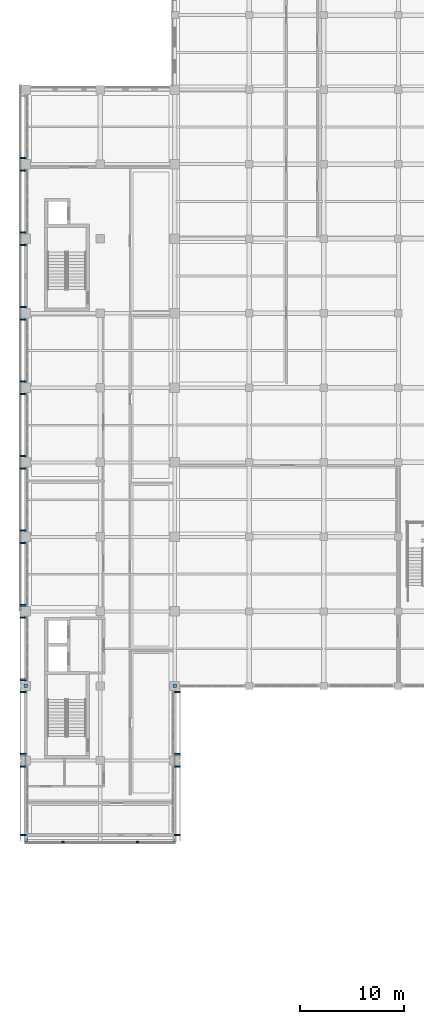
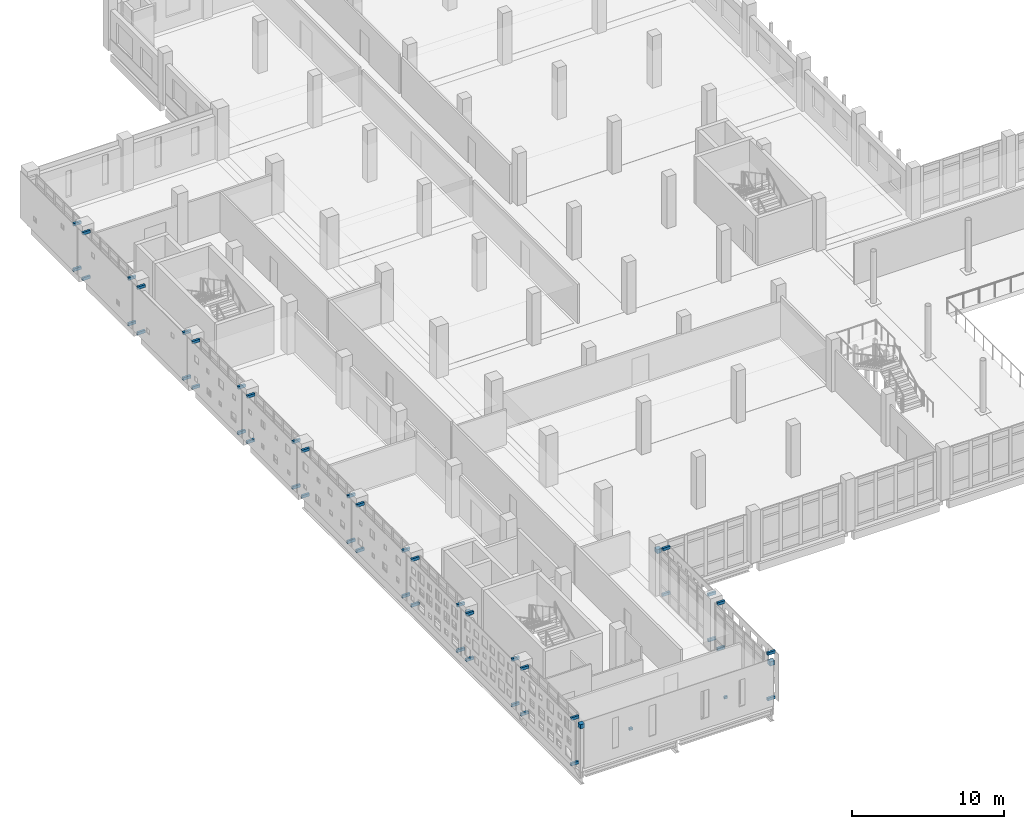
# One storey, part 49 of 62: 52 discrete accessories.
"""IFC4 building model written with IfcOpenShell, lengths in metres."""

from ifc_helpers import new_model, si_unit, direction, frame, origin, origin_2d, place, context, subcontext, project, spatial, rectangle, extrude, material, type_object, element, save


model = new_model("IFC4")

# Units and contexts
model_context = context("Model", 3, precision=1e-05, world=origin(), true_north=direction((0.0, 1.0)))
body_context = subcontext(model_context, "Body", "Model", "MODEL_VIEW")
ifc_project = project(units=[si_unit("LENGTHUNIT", "METRE"), si_unit("AREAUNIT", "SQUARE_METRE"), si_unit("VOLUMEUNIT", "CUBIC_METRE"), si_unit("PLANEANGLEUNIT", "RADIAN"), si_unit("MASSUNIT", "GRAM", prefix="KILO")], contexts=[model_context])

# Site, building, storey
site_placement = place(None, origin())
site = spatial("IfcSite", under=ifc_project, at=site_placement, CompositionType="ELEMENT")
building_placement = place(site_placement, origin())
building = spatial("IfcBuilding", under=site, at=building_placement, Name="Valkovuoma Quantum and Materials Research Institute", CompositionType="ELEMENT")
storey_placement = place(building_placement, frame((0.0, 0.0, 8.9599609375)))
storey = spatial("IfcBuildingStorey", under=building, at=storey_placement, Name="L02", CompositionType="ELEMENT", Elevation=8.9599609375)

# Discrete accessories
ifc_material_1 = material(Name="Steel S355J2", Category="steel")
discrete_accessory_type_1 = type_object("IfcDiscreteAccessoryType", Name="Brk-BRK-01", PredefinedType="BRACKET", material=ifc_material_1)
for number, where, z_axis, x_axis, name in (
    (1, (3.60009765625, 20.919921875, 1.81494140625), (0.0, 0.0, 1.0), (0.0, 1.0, 0.0), "L02 south end skin bracket 1"),
    (2, (10.800048828125, 20.919921875, 1.81494140625), (0.0, 0.0, 1.0), (0.0, 1.0, 0.0), "L02 south end skin bracket 2"),
):
    element("IfcDiscreteAccessory", number, at=place(storey_placement, frame(where, z_axis=z_axis, x_axis=x_axis)), inside=storey, type_object=discrete_accessory_type_1, Name=name, PredefinedType="BRACKET", context=body_context, shape_type="SweptSolid", body=[
        extrude(rectangle(XDim=0.159912109375, YDim=0.239990234375, at=origin_2d()), origin(), (0.0, 0.0, 1.0), 0.179931640625),
    ])
for number, where, z_axis, x_axis, name in (
    (3, (-0.25, 21.60009765625, -0.02978515625), (0.0, 0.0, 1.0), (1.0, 0.0, 0.0), "L02 screen bracket 00049"),
    (4, (-0.25, 28.199951171875, -0.02978515625), (0.0, 0.0, 1.0), (1.0, 0.0, 0.0), "L02 screen bracket 00050"),
    (5, (-0.25, 21.60009765625, 3.6201171875), (0.0, 0.0, 1.0), (1.0, 0.0, 0.0), "L02 screen bracket 00051"),
    (6, (-0.25, 28.199951171875, 3.6201171875), (0.0, 0.0, 1.0), (1.0, 0.0, 0.0), "L02 screen bracket 00052"),
    (7, (14.64990234375, 21.60009765625, -0.02978515625), (0.0, 0.0, 1.0), (1.0, 0.0, 0.0), "L02 screen bracket 00053"),
    (8, (14.64990234375, 28.199951171875, -0.02978515625), (0.0, 0.0, 1.0), (1.0, 0.0, 0.0), "L02 screen bracket 00054"),
    (9, (14.64990234375, 21.60009765625, 3.6201171875), (0.0, 0.0, 1.0), (1.0, 0.0, 0.0), "L02 screen bracket 00055"),
    (10, (14.64990234375, 28.199951171875, 3.6201171875), (0.0, 0.0, 1.0), (1.0, 0.0, 0.0), "L02 screen bracket 00056"),
    (11, (-0.25, 29.39990234375, -0.02978515625), (0.0, 0.0, 1.0), (1.0, 0.0, 0.0), "L02 screen bracket 00057"),
    (12, (-0.25, 35.39990234375, -0.02978515625), (0.0, 0.0, 1.0), (1.0, 0.0, 0.0), "L02 screen bracket 00058"),
    (13, (-0.25, 29.39990234375, 3.6201171875), (0.0, 0.0, 1.0), (1.0, 0.0, 0.0), "L02 screen bracket 00059"),
    (14, (-0.25, 35.39990234375, 3.6201171875), (0.0, 0.0, 1.0), (1.0, 0.0, 0.0), "L02 screen bracket 00060"),
    (15, (14.64990234375, 29.39990234375, -0.02978515625), (0.0, 0.0, 1.0), (1.0, 0.0, 0.0), "L02 screen bracket 00061"),
    (16, (14.64990234375, 35.39990234375, -0.02978515625), (0.0, 0.0, 1.0), (1.0, 0.0, 0.0), "L02 screen bracket 00062"),
    (17, (14.64990234375, 29.39990234375, 3.6201171875), (0.0, 0.0, 1.0), (1.0, 0.0, 0.0), "L02 screen bracket 00063"),
    (18, (14.64990234375, 35.39990234375, 3.6201171875), (0.0, 0.0, 1.0), (1.0, 0.0, 0.0), "L02 screen bracket 00064"),
    (19, (-0.25, 36.60009765625, -0.02978515625), (0.0, 0.0, 1.0), (1.0, 0.0, 0.0), "L02 screen bracket 00065"),
    (20, (-0.25, 42.60009765625, -0.02978515625), (0.0, 0.0, 1.0), (1.0, 0.0, 0.0), "L02 screen bracket 00066"),
    (21, (-0.25, 36.60009765625, 3.6201171875), (0.0, 0.0, 1.0), (1.0, 0.0, 0.0), "L02 screen bracket 00067"),
    (22, (-0.25, 42.60009765625, 3.6201171875), (0.0, 0.0, 1.0), (1.0, 0.0, 0.0), "L02 screen bracket 00068"),
    (23, (-0.25, 43.800048828125, -0.02978515625), (0.0, 0.0, 1.0), (1.0, 0.0, 0.0), "L02 screen bracket 00069"),
    (24, (-0.25, 49.800048828125, -0.02978515625), (0.0, 0.0, 1.0), (1.0, 0.0, 0.0), "L02 screen bracket 00070"),
    (25, (-0.25, 43.800048828125, 3.6201171875), (0.0, 0.0, 1.0), (1.0, 0.0, 0.0), "L02 screen bracket 00071"),
    (26, (-0.25, 49.800048828125, 3.6201171875), (0.0, 0.0, 1.0), (1.0, 0.0, 0.0), "L02 screen bracket 00072"),
    (27, (-0.25, 51.0, -0.02978515625), (0.0, 0.0, 1.0), (1.0, 0.0, 0.0), "L02 screen bracket 00073"),
    (28, (-0.25, 57.0, -0.02978515625), (0.0, 0.0, 1.0), (1.0, 0.0, 0.0), "L02 screen bracket 00074"),
    (29, (-0.25, 51.0, 3.6201171875), (0.0, 0.0, 1.0), (1.0, 0.0, 0.0), "L02 screen bracket 00075"),
    (30, (-0.25, 57.0, 3.6201171875), (0.0, 0.0, 1.0), (1.0, 0.0, 0.0), "L02 screen bracket 00076"),
    (31, (-0.25, 58.199951171875, -0.02978515625), (0.0, 0.0, 1.0), (1.0, 0.0, 0.0), "L02 screen bracket 00077"),
    (32, (-0.25, 64.199951171875, -0.02978515625), (0.0, 0.0, 1.0), (1.0, 0.0, 0.0), "L02 screen bracket 00078"),
    (33, (-0.25, 58.199951171875, 3.6201171875), (0.0, 0.0, 1.0), (1.0, 0.0, 0.0), "L02 screen bracket 00079"),
    (34, (-0.25, 64.199951171875, 3.6201171875), (0.0, 0.0, 1.0), (1.0, 0.0, 0.0), "L02 screen bracket 00080"),
    (35, (-0.25, 65.39990234375, -0.02978515625), (0.0, 0.0, 1.0), (1.0, 0.0, 0.0), "L02 screen bracket 00081"),
    (36, (-0.25, 71.39990234375, -0.02978515625), (0.0, 0.0, 1.0), (1.0, 0.0, 0.0), "L02 screen bracket 00082"),
    (37, (-0.25, 65.39990234375, 3.6201171875), (0.0, 0.0, 1.0), (1.0, 0.0, 0.0), "L02 screen bracket 00083"),
    (38, (-0.25, 71.39990234375, 3.6201171875), (0.0, 0.0, 1.0), (1.0, 0.0, 0.0), "L02 screen bracket 00084"),
    (39, (-0.25, 72.60009765625, -0.02978515625), (0.0, 0.0, 1.0), (1.0, 0.0, 0.0), "L02 screen bracket 00085"),
    (40, (-0.25, 78.60009765625, -0.02978515625), (0.0, 0.0, 1.0), (1.0, 0.0, 0.0), "L02 screen bracket 00086"),
    (41, (-0.25, 72.60009765625, 3.6201171875), (0.0, 0.0, 1.0), (1.0, 0.0, 0.0), "L02 screen bracket 00087"),
    (42, (-0.25, 78.60009765625, 3.6201171875), (0.0, 0.0, 1.0), (1.0, 0.0, 0.0), "L02 screen bracket 00088"),
    (43, (-0.25, 79.800048828125, -0.02978515625), (0.0, 0.0, 1.0), (1.0, 0.0, 0.0), "L02 screen bracket 00089"),
    (44, (-0.25, 85.800048828125, -0.02978515625), (0.0, 0.0, 1.0), (1.0, 0.0, 0.0), "L02 screen bracket 00090"),
    (45, (-0.25, 79.800048828125, 3.6201171875), (0.0, 0.0, 1.0), (1.0, 0.0, 0.0), "L02 screen bracket 00091"),
    (46, (-0.25, 85.800048828125, 3.6201171875), (0.0, 0.0, 1.0), (1.0, 0.0, 0.0), "L02 screen bracket 00092"),
    (47, (-0.25, 87.0, -0.02978515625), (0.0, 0.0, 1.0), (1.0, 0.0, 0.0), "L02 screen bracket 00093"),
    (48, (-0.25, 87.0, 3.6201171875), (0.0, 0.0, 1.0), (1.0, 0.0, 0.0), "L02 screen bracket 00095"),
):
    element("IfcDiscreteAccessory", number, at=place(storey_placement, frame(where, z_axis=z_axis, x_axis=x_axis)), inside=storey, type_object=discrete_accessory_type_1, Name=name, PredefinedType="BRACKET", context=body_context, shape_type="SweptSolid", body=[
        extrude(rectangle(XDim=0.580078125, YDim=0.159912109375, at=origin_2d()), origin(), (0.0, 0.0, 1.0), 0.219970703125),
    ])
ifc_material_2 = material(Name="Steel S355J2", Category="steel")
discrete_accessory_type_2 = type_object("IfcDiscreteAccessoryType", Name="Conn-END-01", PredefinedType="BRACKET", material=ifc_material_2)
for number, where, z_axis, x_axis, name in (
    (49, (0.0, 21.14990234375, 3.14013671875), (0.0, 0.0, 1.0), (1.0, 0.0, 0.0), "L02 brace end connection assembly 0011"),
    (50, (0.0, 36.0, 3.14013671875), (0.0, 0.0, 1.0), (1.0, 0.0, 0.0), "L02 brace end connection assembly 0012"),
    (51, (14.39990234375, 21.14990234375, 3.14013671875), (0.0, 0.0, 1.0), (1.0, 0.0, 0.0), "L02 brace end connection assembly 0013"),
    (52, (14.39990234375, 36.0, 3.14013671875), (0.0, 0.0, 1.0), (1.0, 0.0, 0.0), "L02 brace end connection assembly 0014"),
):
    element("IfcDiscreteAccessory", number, at=place(storey_placement, frame(where, z_axis=z_axis, x_axis=x_axis)), inside=storey, type_object=discrete_accessory_type_2, Name=name, PredefinedType="BRACKET", context=body_context, shape_type="SweptSolid", body=[
        extrude(rectangle(XDim=0.340087890625, YDim=0.340087890625, at=origin_2d()), origin(), (0.0, 0.0, 1.0), 0.340087890625),
    ])

save(model, "model.ifc")
